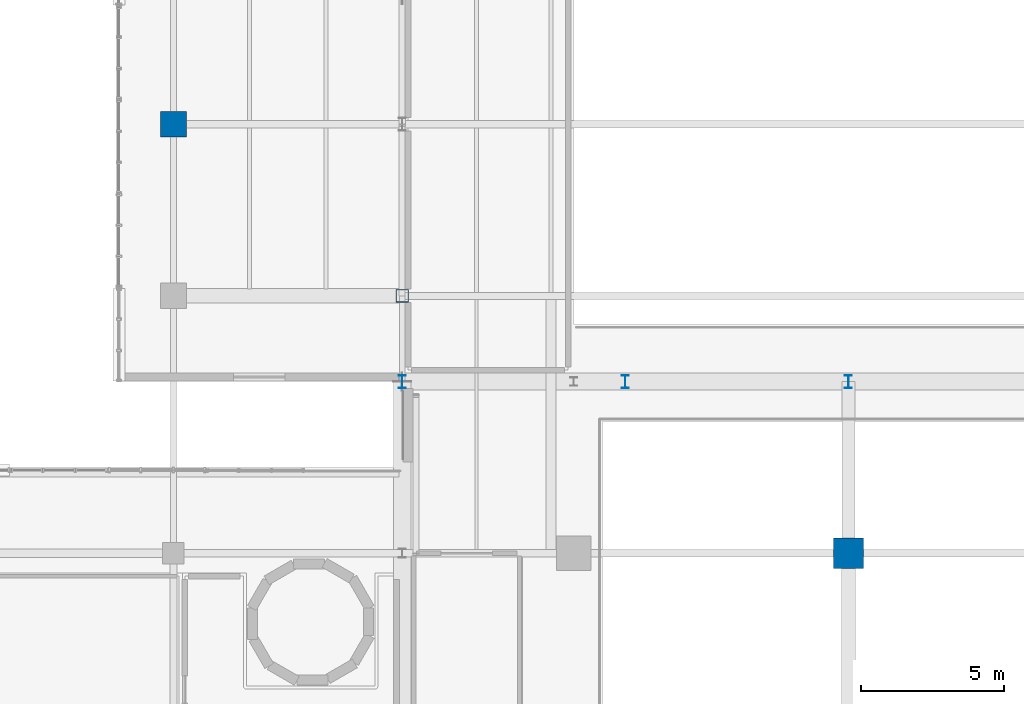
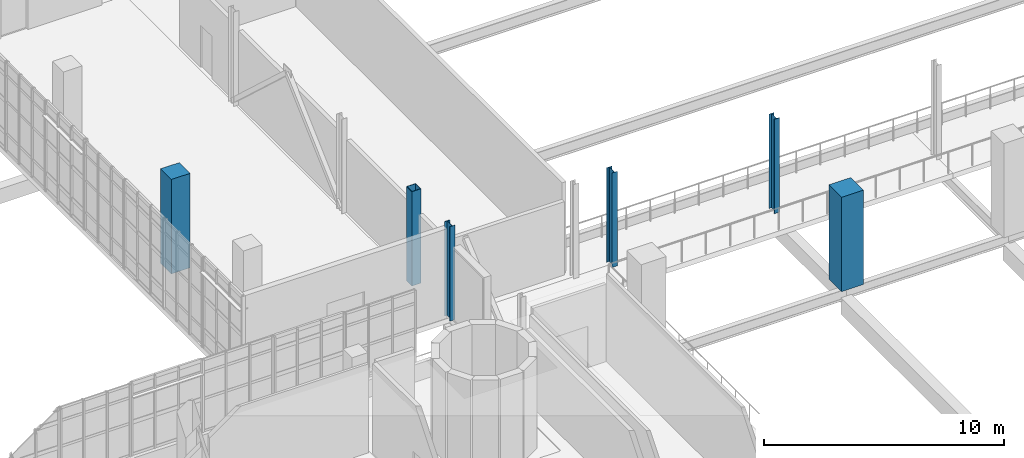
# One storey, part 3 of 102: 6 columns.
"""IFC4 building model written with IfcOpenShell, lengths in metres."""

from ifc_helpers import new_model, si_unit, derived_unit, direction, frame, origin, origin_2d, place, context, subcontext, project, spatial, rectangle, hollow_rectangle, i_section, extrude, material, material_profile, profile_set, type_object, element, save


model = new_model("IFC4")

# Units and contexts
model_context = context("Model", 3, precision=1e-05, world=origin(), true_north=direction((0.0, 1.0)))
body_context = subcontext(model_context, "Body", "Model", "MODEL_VIEW")
ifc_project = project(units=[si_unit("LENGTHUNIT", "METRE"), si_unit("AREAUNIT", "SQUARE_METRE"), si_unit("VOLUMEUNIT", "CUBIC_METRE"), si_unit("PLANEANGLEUNIT", "RADIAN"), si_unit("MASSUNIT", "GRAM", prefix="KILO"), derived_unit("THERMALTRANSMITTANCEUNIT", [(si_unit("POWERUNIT", "WATT"), 1), (si_unit("LENGTHUNIT", "METRE"), -2), (si_unit("THERMODYNAMICTEMPERATUREUNIT", "KELVIN"), -1)])], contexts=[model_context])

# Site, building, storey
site_placement = place(None, origin())
site = spatial("IfcSite", under=ifc_project, at=site_placement, CompositionType="ELEMENT")
building_placement = place(site_placement, origin())
building = spatial("IfcBuilding", under=site, at=building_placement, Name="Nallur Shell Playhouse", CompositionType="ELEMENT")
storey_placement = place(building_placement, frame((0.0, 0.0, 15.0)))
storey = spatial("IfcBuildingStorey", under=building, at=storey_placement, Name="L04", CompositionType="ELEMENT", Elevation=15.0)

# Columns
ifc_material_1 = material(Name="Concrete M45", Category="concrete")
ifc_material_profile_1 = material_profile(ifc_material_1, rectangle(XDim=1.050048828125, YDim=1.050048828125, at=origin_2d()), Name="RC 1050x1050")
ifc_profile_set_1 = profile_set([ifc_material_profile_1], Name="Concrete M45")
column_type_1 = type_object("IfcColumnType", Name="CL-RC-1050", PredefinedType="COLUMN", material=ifc_profile_set_1)
column_1_placement = place(storey_placement, frame((79.60009765625, 41.0, 0.0), z_axis=(0.0, 0.0, 1.0), x_axis=(1.0, 0.0, 0.0)))
element("IfcColumn", 1, at=column_1_placement, inside=storey, type_object=column_type_1, Name="Column MC2N (L04)", PredefinedType="COLUMN", context=body_context, shape_type="SweptSolid", body=[
    extrude(rectangle(XDim=1.050048828125, YDim=1.050048828125, at=origin_2d()), origin(), (0.0, 0.0, 1.0), 4.800048828125),
])
ifc_material_2 = material(Name="Concrete M40", Category="concrete")
ifc_material_profile_2 = material_profile(ifc_material_2, rectangle(XDim=0.89990234375, YDim=0.89990234375, at=origin_2d()), Name="RC 900x900")
ifc_profile_set_2 = profile_set([ifc_material_profile_2], Name="Concrete M40")
column_type_2 = type_object("IfcColumnType", Name="CL-RC-900", PredefinedType="COLUMN", material=ifc_profile_set_2)
column_2_placement = place(storey_placement, frame((56.0, 56.0, 0.0), z_axis=(0.0, 0.0, 1.0), x_axis=(1.0, 0.0, 0.0)))
element("IfcColumn", 2, at=column_2_placement, inside=storey, type_object=column_type_2, Name="Column 7-G (L04)", PredefinedType="COLUMN", context=body_context, shape_type="SweptSolid", body=[
    extrude(rectangle(XDim=0.89990234375, YDim=0.89990234375, at=origin_2d()), origin(), (0.0, 0.0, 1.0), 4.800048828125),
])
ifc_material_3 = material(Name="Steel E350", Category="steel")
ifc_material_profile_3 = material_profile(ifc_material_3, hollow_rectangle(XDim=0.449951171875, YDim=0.449951171875, WallThickness=0.02001953125, at=origin_2d()), Name="BOX 450x450x20")
ifc_profile_set_3 = profile_set([ifc_material_profile_3], Name="Steel E350")
column_type_3 = type_object("IfcColumnType", Name="CL-ST-BOX450", PredefinedType="COLUMN", material=ifc_profile_set_3)
column_3_placement = place(storey_placement, frame((64.0, 50.0, 0.0), z_axis=(0.0, 0.0, 1.0), x_axis=(1.0, 0.0, 0.0)))
element("IfcColumn", 3, at=column_3_placement, inside=storey, type_object=column_type_3, Name="Column 8-F (L04)", PredefinedType="COLUMN", context=body_context, shape_type="SweptSolid", body=[
    extrude(hollow_rectangle(XDim=0.449951171875, YDim=0.449951171875, WallThickness=0.02001953125, at=origin_2d()), origin(), (0.0, 0.0, 1.0), 4.800048828125),
])
ifc_material_profile_4 = material_profile(ifc_material_3, i_section(OverallWidth=0.25, OverallDepth=0.449951171875, WebThickness=0.01123046875, FlangeThickness=0.013671875, FilletRadius=0.014892578125, at=origin_2d()), Name="ISHB 450")
ifc_profile_set_4 = profile_set([ifc_material_profile_4], Name="Steel E350")
column_type_4 = type_object("IfcColumnType", Name="CL-ST-ISHB450", PredefinedType="COLUMN", material=ifc_profile_set_4)
for number, where, z_axis, x_axis, name in (
    (4, (64.0, 47.0, 0.0), (0.0, 0.0, 1.0), (1.0, 0.0, 0.0), "Column PROSC-1 (L04)"),
    (5, (71.800048828125, 47.0, 0.0), (0.0, 0.0, 1.0), (1.0, 0.0, 0.0), "Column PROSC-2 (L04)"),
    (6, (79.60009765625, 47.0, 0.0), (0.0, 0.0, 1.0), (1.0, 0.0, 0.0), "Column PROSC-3 (L04)"),
):
    element("IfcColumn", number, at=place(storey_placement, frame(where, z_axis=z_axis, x_axis=x_axis)), inside=storey, type_object=column_type_4, Name=name, PredefinedType="COLUMN", context=body_context, shape_type="SweptSolid", body=[
        extrude(i_section(OverallWidth=0.25, OverallDepth=0.449951171875, WebThickness=0.01123046875, FlangeThickness=0.013671875, FilletRadius=0.014892578125, at=origin_2d()), origin(), (0.0, 0.0, 1.0), 4.800048828125),
    ])

save(model, "model.ifc")
